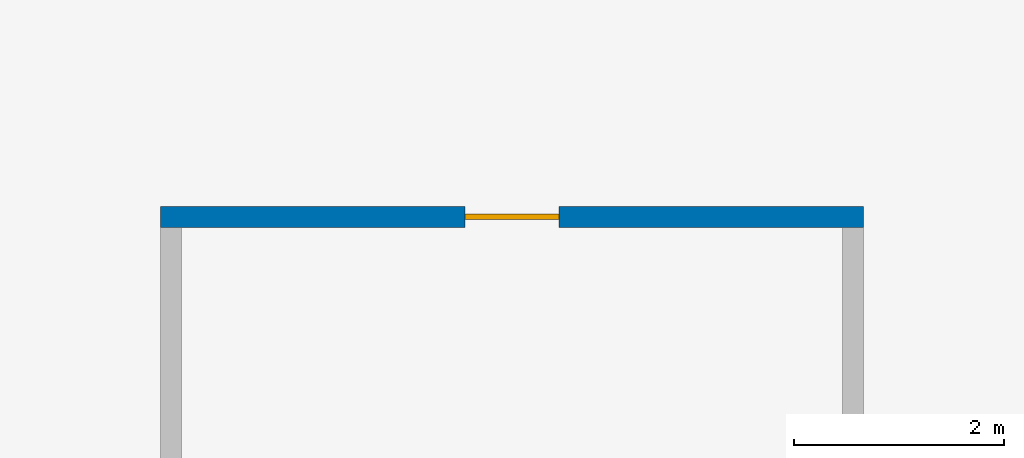
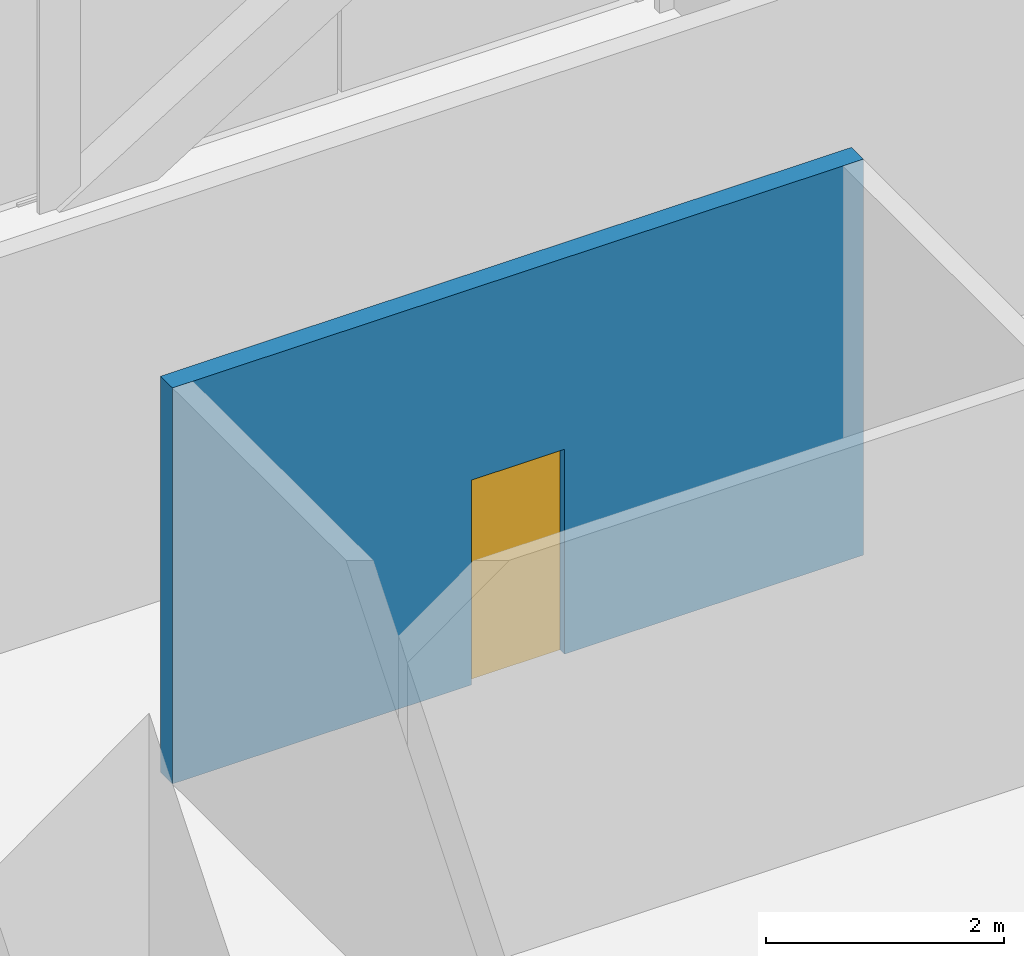
# One storey, part 10 of 25: 1 door, 1 wall, 1 opening.
"""IFC4 building model written with IfcOpenShell, lengths in metres."""

from ifc_helpers import new_model, si_unit, direction, frame, frame_2d, origin, place, context, subcontext, project, spatial, rectangle, extrude, material, layer, layer_set, type_object, element, fill, save


model = new_model("IFC4")

# Units and contexts
model_context = context("Model", 3, precision=1e-05, world=origin(), true_north=direction((0.0, 1.0)))
body_context = subcontext(model_context, "Body", "Model", "MODEL_VIEW")
ifc_project = project(units=[si_unit("LENGTHUNIT", "METRE"), si_unit("AREAUNIT", "SQUARE_METRE"), si_unit("VOLUMEUNIT", "CUBIC_METRE"), si_unit("PLANEANGLEUNIT", "RADIAN"), si_unit("MASSUNIT", "GRAM", prefix="KILO")], contexts=[model_context])

# Site, building, storey
site_placement = place(None, origin())
site = spatial("IfcSite", under=ifc_project, at=site_placement, CompositionType="ELEMENT")
building_placement = place(site_placement, origin())
building = spatial("IfcBuilding", under=site, at=building_placement, Name="Mahtab Terrace Research Tower", CompositionType="ELEMENT")
storey_placement = place(building_placement, frame((0.0, 0.0, 41.60009765625)))
storey = spatial("IfcBuildingStorey", under=building, at=storey_placement, Name="L09", CompositionType="ELEMENT", Elevation=41.60009765625)

# Wall, opening, door
ifc_material_1 = material(Name="Gypsum board corridor wall on steel studs", Category="steel")
ifc_layer = layer(ifc_material_1, 0.199951171875)
ifc_layer_set = layer_set([ifc_layer], Name="WALL CORRIDOR 200")
wall_type = type_object("IfcWallType", Name="WALL CORRIDOR 200", PredefinedType="PARTITIONING", material=ifc_layer_set)
wall_placement = place(storey_placement, frame((8.60009765625, 15.125, 0.0), z_axis=(0.0, 0.0, 1.0), x_axis=(1.0, 0.0, 0.0)))
wall = element("IfcWall", 1, at=wall_placement, inside=storey, type_object=wall_type, Name="L09-W021", PredefinedType="PARTITIONING", context=body_context, shape_type="SweptSolid", body=[
    extrude(rectangle(XDim=6.699951171875, YDim=0.199951171875, at=frame_2d((3.35009765625, 0.0))), origin(), (0.0, 0.0, 1.0), 4.059814453125),
])
opening_placement = place(wall_placement, frame((2.89990234375, 0.0, 0.0)))
opening = element("IfcOpeningElement", 2, at=opening_placement, cuts=wall, Name="Opening L09-115", PredefinedType="OPENING", context=body_context, shape_type="SweptSolid", body=[
    extrude(rectangle(XDim=0.89990234375, YDim=2.10009765625, at=frame_2d((0.449951171875, 1.050048828125))), frame((0.0, 0.10986328125, 0.0), z_axis=(0.0, -1.0, 0.0), x_axis=(1.0, 0.0, 0.0)), (0.0, 0.0, 1.0), 0.219970703125),
])
ifc_material_2 = material(Name="Timber door leaf in steel frame", Category="steel")
door_type = type_object("IfcDoorType", Name="DOOR 0900X2100 FD30S", OperationType="SINGLE_SWING_LEFT", PredefinedType="DOOR", material=ifc_material_2)
door_placement = place(opening_placement, origin())
door = element("IfcDoor", 3, at=door_placement, inside=storey, type_object=door_type, Name="Door L09-115", OperationType="SINGLE_SWING_RIGHT", OverallHeight=2.10009765625, OverallWidth=0.89990234375, PredefinedType="DOOR", context=body_context, shape_type="SweptSolid", body=[
    extrude(rectangle(XDim=0.89990234375, YDim=2.10009765625, at=frame_2d((0.449951171875, 1.050048828125))), frame((0.0, 0.02490234375, 0.0), z_axis=(0.0, -1.0, 0.0), x_axis=(1.0, 0.0, 0.0)), (0.0, 0.0, 1.0), 0.050048828125),
])
fill(opening, door)

save(model, "model.ifc")
